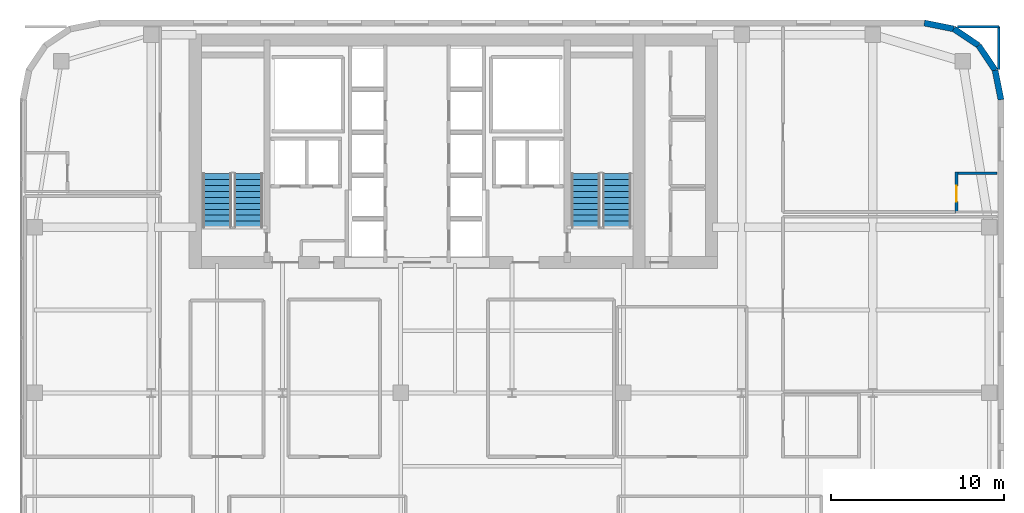
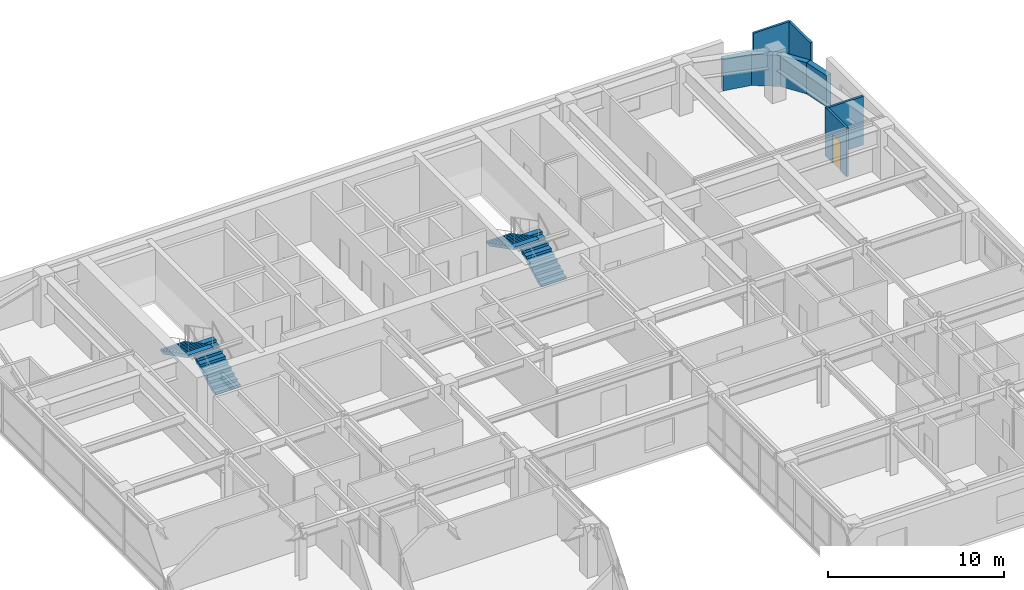
# One storey, part 29 of 30: 8 walls, 4 stair flights, 1 door, 1 opening, 2 elements without a shape of their own.
"""IFC4 building model written with IfcOpenShell, lengths in metres."""

import ifcopenshell
import ifcopenshell.guid

model = None  # the IFC model being written
_history = None  # IfcOwnerHistory: only IFC2X3 demands one
_inside = {}  # id of a spatial element -> (the spatial element, [elements in it])
_under = {}  # id of a project, library or spatial element -> (it, [spatial elements below it])
_declared = {}  # id of a project -> (the project, [libraries it declares])
_typed = {}  # id of a type object -> (the type object, [elements of that type])
_made_of = {}  # id of a material, layer set ... -> (it, [elements and type objects made of it])


def new_model(schema):
    """Start an empty IFC model of exactly this schema.

    Asked for "IFC4X3", IfcOpenShell would pick the latest addendum, in which some entities
    have other attributes; the version numbers below select the first issue.
    IFC2X3 requires an IfcOwnerHistory on every rooted entity: one is made here for all.
    """
    global model, _history
    if schema == "IFC4X3":
        model = ifcopenshell.file(schema_version=(4, 3, 0, 0))
    else:
        model = ifcopenshell.file(schema=schema)
    _inside.clear()
    _under.clear()
    _declared.clear()
    _typed.clear()
    _made_of.clear()
    _history = None
    if model.schema == "IFC2X3":
        org = make("IfcOrganization", Name="unknown")
        user = make(
            "IfcPersonAndOrganization",
            ThePerson=make("IfcPerson", FamilyName="unknown"),
            TheOrganization=org,
        )
        app = make(
            "IfcApplication",
            ApplicationDeveloper=org,
            Version="unknown",
            ApplicationFullName="unknown",
            ApplicationIdentifier="unknown",
        )
        _history = make(
            "IfcOwnerHistory",
            OwningUser=user,
            OwningApplication=app,
            ChangeAction="ADDED",
            CreationDate=0,
        )
    return model


def make(cls, **values):
    """One entity of the class cls with the attributes given. An attribute that is None is left unset."""
    return model.create_entity(
        cls, **{name: value for name, value in values.items() if value is not None}
    )


def rooted(cls, **values):
    """An entity with a GlobalId (a new one), such as an element, a storey or a relation."""
    return make(cls, GlobalId=ifcopenshell.guid.new(), OwnerHistory=_history, **values)


def si_unit(unit_type, name, prefix=None):
    """IfcSIUnit, for example si_unit("LENGTHUNIT", "METRE", prefix="MILLI")."""
    return make("IfcSIUnit", UnitType=unit_type, Prefix=prefix, Name=name)


def assignment(units):
    """IfcUnitAssignment: the units of a project."""
    return None if units is None else make("IfcUnitAssignment", Units=units)


def point(xyz):
    """IfcCartesianPoint."""
    return None if xyz is None else make("IfcCartesianPoint", Coordinates=xyz)


def direction(xyz):
    """IfcDirection."""
    return None if xyz is None else make("IfcDirection", DirectionRatios=xyz)


def frame(location, z_axis=None, x_axis=None):
    """IfcAxis2Placement3D, a coordinate frame: its origin and axes. An axis left out is left unset."""
    return make(
        "IfcAxis2Placement3D",
        Location=point(location),
        Axis=direction(z_axis),
        RefDirection=direction(x_axis),
    )


def frame_2d(location, x_axis=None):
    """IfcAxis2Placement2D, a coordinate frame in the plane: its origin and x axis."""
    return make(
        "IfcAxis2Placement2D", Location=point(location), RefDirection=direction(x_axis)
    )


def origin():
    """The frame at (0, 0, 0) with its axes left unset."""
    return frame((0.0, 0.0, 0.0))


def place(relative_to, where):
    """IfcLocalPlacement: puts the frame where relative to a parent placement (None: the world)."""
    return make(
        "IfcLocalPlacement", PlacementRelTo=relative_to, RelativePlacement=where
    )


def context(
    kind, dimensions, precision=None, world=None, true_north=None, identifier=None
):
    """IfcGeometricRepresentationContext, for example the 3D "Model" context."""
    return make(
        "IfcGeometricRepresentationContext",
        ContextIdentifier=identifier,
        ContextType=kind,
        CoordinateSpaceDimension=dimensions,
        Precision=precision,
        WorldCoordinateSystem=world,
        TrueNorth=true_north,
    )


def subcontext(parent, identifier, kind, view, scale=None):
    """IfcGeometricRepresentationSubContext, for example "Body" below "Model"."""
    return make(
        "IfcGeometricRepresentationSubContext",
        ContextIdentifier=identifier,
        ContextType=kind,
        ParentContext=parent,
        TargetScale=scale,
        TargetView=view,
    )


def project(units=None, contexts=None):
    """IfcProject with its units and contexts."""
    return rooted(
        "IfcProject",
        Name="project",
        RepresentationContexts=contexts,
        UnitsInContext=assignment(units),
    )


def spatial(cls, under=None, at=None, **own):
    """A site, building, storey or space (cls), placed at a placement, below another one or the project."""
    s = rooted(cls, ObjectPlacement=at, **own)
    if under is not None:
        _under.setdefault(under.id(), (under, []))[1].append(s)
    return s


def polyline(points):
    """IfcPolyline through the points."""
    return make("IfcPolyline", Points=[point(p) for p in points])


def profile(cls, at=None, kind="AREA", **sizes):
    """A parametric profile (cls). Its sizes go by their IFC names, for example OverallWidth=200.0."""
    return make(cls, ProfileType=kind, Position=at, **sizes)


def rectangle(**sizes):
    """IfcRectangleProfileDef."""
    return profile("IfcRectangleProfileDef", **sizes)


def outline(outer, holes=None, kind="AREA"):
    """IfcArbitraryClosedProfileDef: a profile drawn as a closed curve; with holes, ...WithVoids."""
    if holes is None:
        return make("IfcArbitraryClosedProfileDef", ProfileType=kind, OuterCurve=outer)
    return make(
        "IfcArbitraryProfileDefWithVoids",
        ProfileType=kind,
        OuterCurve=outer,
        InnerCurves=holes,
    )


def extrude(swept, where, along, depth):
    """IfcExtrudedAreaSolid: the profile swept, set in the frame where, extruded along a direction by depth."""
    return make(
        "IfcExtrudedAreaSolid",
        SweptArea=swept,
        Position=where,
        ExtrudedDirection=direction(along),
        Depth=depth,
    )


def shape(context_of_items, identifier, shape_type, items):
    """IfcShapeRepresentation: the items that make up one representation, for example the "Body"."""
    return make(
        "IfcShapeRepresentation",
        ContextOfItems=context_of_items,
        RepresentationIdentifier=identifier,
        RepresentationType=shape_type,
        Items=items,
    )


def source(mapping_origin, context_of_items, identifier, shape_type, items):
    """IfcRepresentationMap: a shape defined once, which mapped items show again and again."""
    return make(
        "IfcRepresentationMap",
        MappingOrigin=mapping_origin,
        MappedRepresentation=shape(context_of_items, identifier, shape_type, items),
    )


def transform(
    local_origin,
    x_axis=None,
    y_axis=None,
    z_axis=None,
    scale=None,
    scale2=None,
    scale3=None,
    uniform=True,
):
    """IfcCartesianTransformationOperator3D, or its non-uniform kind. x_axis, y_axis, z_axis: its Axis1, 2, 3."""
    if uniform:
        return make(
            "IfcCartesianTransformationOperator3D",
            Axis1=direction(x_axis),
            Axis2=direction(y_axis),
            LocalOrigin=point(local_origin),
            Scale=scale,
            Axis3=direction(z_axis),
        )
    return make(
        "IfcCartesianTransformationOperator3DnonUniform",
        Axis1=direction(x_axis),
        Axis2=direction(y_axis),
        LocalOrigin=point(local_origin),
        Scale=scale,
        Axis3=direction(z_axis),
        Scale2=scale2,
        Scale3=scale3,
    )


def mapped(mapping_source, mapping_target):
    """IfcMappedItem: shows the shape of a source again, moved by a transform."""
    return make(
        "IfcMappedItem", MappingSource=mapping_source, MappingTarget=mapping_target
    )


def material(Name=None, Category=None):
    """IfcMaterial."""
    return make("IfcMaterial", Name=Name, Category=Category)


def layer(
    of_material, thickness, ventilated=None, Name=None, Category=None, Priority=None
):
    """IfcMaterialLayer: one layer of a wall or slab, of a material (None: an air gap)."""
    return make(
        "IfcMaterialLayer",
        Material=of_material,
        LayerThickness=thickness,
        IsVentilated=ventilated,
        Name=Name,
        Category=Category,
        Priority=Priority,
    )


def layer_set(layers, Name=None):
    """IfcMaterialLayerSet."""
    return make("IfcMaterialLayerSet", MaterialLayers=layers, LayerSetName=Name)


def made_of(thing, what):
    """Note that an element or type object is made of a material, layer set ...; save() writes the relation."""
    if what is not None:
        _made_of.setdefault(what.id(), (what, []))[1].append(thing)
    return thing


def type_object(cls, material=None, **own):
    """A type object (cls), such as IfcWallType, which elements share."""
    return made_of(rooted(cls, **own), material)


def type_shapes(of_type, sources):
    """Give a type object the sources (RepresentationMaps) that its elements show as mapped items."""
    of_type.RepresentationMaps = sources


def element(
    cls,
    number,
    at=None,
    inside=None,
    cuts=None,
    type_object=None,
    material=None,
    context=None,
    identifier="Body",
    shape_type=None,
    held_by="IfcProductDefinitionShape",
    body=None,
    shapes=None,
    **own,
):
    """One element of the class cls, such as IfcWall. Its Tag is "e" and its number.

    at: its placement. inside: the storey or other place that contains it. cuts: it is an
    opening in that element (IfcRelVoidsElement). A single representation is given by context,
    identifier, shape_type and body (its items); several are given by shapes. held_by: the class
    of the entity that holds the representations. save() writes the other relations.
    """
    e = rooted(cls, Tag="e%d" % number, ObjectPlacement=at, **own)
    if body is not None:
        shapes = [shape(context, identifier, shape_type, body)]
    if shapes is not None:
        e.Representation = make(held_by, Representations=shapes)
    if inside is not None:
        _inside.setdefault(inside.id(), (inside, []))[1].append(e)
    if cuts is not None:
        rooted(
            "IfcRelVoidsElement", RelatingBuildingElement=cuts, RelatedOpeningElement=e
        )
    if type_object is not None:
        _typed.setdefault(type_object.id(), (type_object, []))[1].append(e)
    return made_of(e, material)


def fill(opening, filler):
    """IfcRelFillsElement: the door or window that sits in an opening."""
    return rooted(
        "IfcRelFillsElement",
        RelatingOpeningElement=opening,
        RelatedBuildingElement=filler,
    )


def aggregate(whole, parts):
    """IfcRelAggregates: a whole, such as a stair, and the parts it consists of."""
    return rooted("IfcRelAggregates", RelatingObject=whole, RelatedObjects=parts)


def save(model, path):
    """Write the relations noted so far, then the file.

    IfcRelAggregates (storeys below a building ...), IfcRelContainedInSpatialStructure (elements
    in a storey), IfcRelDefinesByType, IfcRelAssociatesMaterial and IfcRelDeclares: one each for
    every whole, place, type object, material and project.
    """
    for whole, parts in _under.values():
        aggregate(whole, parts)
    for where, things in _inside.values():
        rooted(
            "IfcRelContainedInSpatialStructure",
            RelatedElements=things,
            RelatingStructure=where,
        )
    for kind, things in _typed.values():
        rooted("IfcRelDefinesByType", RelatedObjects=things, RelatingType=kind)
    for what, things in _made_of.values():
        rooted("IfcRelAssociatesMaterial", RelatedObjects=things, RelatingMaterial=what)
    for by, libraries in _declared.values():
        rooted("IfcRelDeclares", RelatingContext=by, RelatedDefinitions=libraries)
    model.write(path)


model = new_model("IFC4")

# Units and contexts
model_context = context("Model", 3, precision=1e-05, world=origin(), true_north=direction((0.0, 1.0)))
body_context = subcontext(model_context, "Body", "Model", "MODEL_VIEW")
ifc_project = project(units=[si_unit("LENGTHUNIT", "METRE"), si_unit("AREAUNIT", "SQUARE_METRE"), si_unit("VOLUMEUNIT", "CUBIC_METRE"), si_unit("PLANEANGLEUNIT", "RADIAN"), si_unit("MASSUNIT", "GRAM", prefix="KILO")], contexts=[model_context])

# Site, building, storey
site_placement = place(None, origin())
site = spatial("IfcSite", under=ifc_project, at=site_placement, CompositionType="ELEMENT")
building_placement = place(site_placement, origin())
building = spatial("IfcBuilding", under=site, at=building_placement, Name="Tolvann Quenvar Hotel", CompositionType="ELEMENT")
storey_placement = place(building_placement, frame((0.0, 0.0, 100.89990234375)))
storey = spatial("IfcBuildingStorey", under=building, at=storey_placement, Name="L25", CompositionType="ELEMENT", Elevation=100.89990234375)

# Walls
ifc_material_1 = material(Name="Kiln-fired red and buff architectural clay brickwork and terracotta masonry", Category="masonry")
ifc_layer_1 = layer(ifc_material_1, 0.35009765625)
ifc_layer_set_1 = layer_set([ifc_layer_1], Name="Kiln-fired red and buff architectural clay brickwork and terracotta masonry")
wall_type_1 = type_object("IfcWallType", Name="WALL_EXT_BRICK_350", PredefinedType="SOLIDWALL", material=ifc_layer_set_1)
wall_1_placement = place(storey_placement, frame((56.824951171875, 41.3828125, 0.0), z_axis=(0.0, 0.0, 1.0), x_axis=(-0.195011420161, 0.980800971659, 0.0)))
element("IfcWall", 1, at=wall_1_placement, inside=storey, type_object=wall_type_1, Name="Exterior Chicago Brick Wall L25-E14", PredefinedType="SOLIDWALL", context=body_context, shape_type="SweptSolid", body=[
    extrude(rectangle(XDim=1.74267578125, YDim=0.35009765625, at=frame_2d((0.871337890625, 0.0))), origin(), (0.0, 0.0, 1.0), 2.16015625),
])
for number, where, z_axis, x_axis, name in (
    (2, (56.485107421875, 43.092041015625, 0.0), (0.0, 0.0, 1.0), (-0.55554893791, 0.831483840845, 0.0), "Exterior Chicago Brick Wall L25-E15"),
    (3, (55.526611328125, 44.526611328125, 0.0), (0.0, 0.0, 1.0), (-0.831483840845, 0.55554893791, 0.0), "Exterior Chicago Brick Wall L25-E16"),
):
    element("IfcWall", number, at=place(storey_placement, frame(where, z_axis=z_axis, x_axis=x_axis)), inside=storey, type_object=wall_type_1, Name=name, PredefinedType="SOLIDWALL", context=body_context, shape_type="SweptSolid", body=[
        extrude(rectangle(XDim=1.725341796875, YDim=0.35009765625, at=frame_2d((0.86279296875, 0.0))), origin(), (0.0, 0.0, 1.0), 2.16015625),
    ])
wall_2_placement = place(storey_placement, frame((54.092041015625, 45.485107421875, 0.0), z_axis=(0.0, 0.0, 1.0), x_axis=(-0.980800971659, 0.195011420161, 0.0)))
element("IfcWall", 4, at=wall_2_placement, inside=storey, type_object=wall_type_1, Name="Exterior Chicago Brick Wall L25-E17", PredefinedType="SOLIDWALL", context=body_context, shape_type="SweptSolid", body=[
    extrude(rectangle(XDim=1.74267578125, YDim=0.35009765625, at=frame_2d((0.871337890625, 0.0))), origin(), (0.0, 0.0, 1.0), 2.16015625),
])

# Wall, opening, door
ifc_material_2 = material(Name="Acoustic twin-stud fire-rated gypsum plasterboard partition")
ifc_layer_2 = layer(ifc_material_2, 0.14990234375)
ifc_layer_set_2 = layer_set([ifc_layer_2], Name="Acoustic twin-stud fire-rated gypsum plasterboard partition")
wall_type_2 = type_object("IfcWallType", Name="WALL_PART_SUITE_150", PredefinedType="PARTITIONING", material=ifc_layer_set_2)
wall_3_placement = place(storey_placement, frame((54.25, 34.81005859375, 0.0), z_axis=(0.0, 0.0, 1.0), x_axis=(0.0, 1.0, 0.0)))
wall_3 = element("IfcWall", 5, at=wall_3_placement, inside=storey, type_object=wall_type_2, Name="Interior Partition PT-SPC-L25-ENS-NE01-ENT", PredefinedType="PARTITIONING", context=body_context, shape_type="SweptSolid", body=[
    extrude(rectangle(XDim=2.389892578125, YDim=0.14990234375, at=frame_2d((1.19482421875, 0.0))), origin(), (0.0, 0.0, 1.0), 3.3701171875),
])
opening_placement = place(wall_3_placement, frame((0.6650390625, 0.0, 0.0)))
opening = element("IfcOpeningElement", 6, at=opening_placement, cuts=wall_3, Name="Opening WD-01", PredefinedType="OPENING", context=body_context, shape_type="SweptSolid", body=[
    extrude(rectangle(XDim=0.919921875, YDim=2.010009765625, at=frame_2d((0.4599609375, 1.0048828125))), frame((0.0, 0.0849609375, 0.0), z_axis=(0.0, -1.0, 0.0), x_axis=(1.0, 0.0, 0.0)), (0.0, 0.0, 1.0), 0.169921875),
])
ifc_material_3 = material(Name="Solid-core American oak acoustic fire door leaf in steel frame", Category="steel")
door_type = type_object("IfcDoorType", Name="DOOR_WC_920", OperationType="NOTDEFINED", PredefinedType="DOOR", material=ifc_material_3)
shared_shape = source(origin(), body_context, "Body", "SweptSolid", [
    extrude(rectangle(XDim=0.919921875, YDim=2.010009765625, at=frame_2d((0.4599609375, 1.0048828125))), frame((0.0, 0.02490234375, 0.0), z_axis=(0.0, -1.0, 0.0), x_axis=(1.0, 0.0, 0.0)), (0.0, 0.0, 1.0), 0.050048828125),
])
type_shapes(door_type, [shared_shape])
door_placement = place(opening_placement, origin())
door = element("IfcDoor", 7, at=door_placement, inside=storey, type_object=door_type, Name="Interior Door DOOR-SPC-L25-ENS-NE01", OperationType="SINGLE_SWING_RIGHT", OverallHeight=2.010009765625, OverallWidth=0.919921875, PredefinedType="DOOR", context=body_context, shape_type="MappedRepresentation", body=[
    mapped(shared_shape, transform((0.0, 0.0, 0.0), x_axis=(1.0, 0.0, 0.0), y_axis=(0.0, 1.0, 0.0), z_axis=(0.0, 0.0, 1.0), scale=1.0)),
])
fill(opening, door)

# Walls
wall_4_placement = place(storey_placement, frame((54.179931640625, 37.1298828125, 0.0), z_axis=(0.0, 0.0, 1.0), x_axis=(1.0, 0.0, 0.0)))
element("IfcWall", 8, at=wall_4_placement, inside=storey, type_object=wall_type_2, Name="Interior Partition PT-SPC-L25-ENS-NE01-N", PredefinedType="PARTITIONING", context=body_context, shape_type="SweptSolid", body=[
    extrude(rectangle(XDim=2.4150390625, YDim=0.14990234375, at=frame_2d((1.20751953125, 0.0))), origin(), (0.0, 0.0, 1.0), 3.3701171875),
])
wall_5_placement = place(storey_placement, frame((56.699951171875, 43.135009765625, 0.0), z_axis=(0.0, 0.0, 1.0), x_axis=(0.0, 1.0, 0.0)))
element("IfcWall", 9, at=wall_5_placement, inside=storey, type_object=wall_type_2, Name="Interior Partition PT-SPC-L25-RM-NE01-E4", PredefinedType="PARTITIONING", context=body_context, shape_type="SweptSolid", body=[
    extrude(rectangle(XDim=2.485107421875, YDim=0.14990234375, at=frame_2d((1.24267578125, 0.0))), origin(), (0.0, 0.0, 1.0), 3.3701171875),
])
wall_6_placement = place(storey_placement, frame((54.303955078125, 45.6201171875, 0.0), z_axis=(0.0, 0.0, 1.0), x_axis=(1.0, 0.0, 0.0)))
element("IfcWall", 10, at=wall_6_placement, inside=storey, type_object=wall_type_2, Name="Interior Partition PT-SPC-L25-RM-NE01-E5", PredefinedType="PARTITIONING", context=body_context, shape_type="SweptSolid", body=[
    extrude(rectangle(XDim=2.39599609375, YDim=0.14990234375, at=frame_2d((1.197998046875, 0.0))), origin(), (0.0, 0.0, 1.0), 3.3701171875),
])

# Stair, stair flights
ifc_material_4 = material(Name="Concrete N40 (40 MPa)", Category="concrete")
stair_type = type_object("IfcStairType", Name="STAIR", PredefinedType="HALF_TURN_STAIR", material=ifc_material_4)
stair_1_placement = place(storey_placement, origin())
stair_1 = element("IfcStair", 11, at=stair_1_placement, inside=storey, type_object=stair_type, Name="L25 ST-C1", PredefinedType="HALF_TURN_STAIR")
stair_flight_type = type_object("IfcStairFlightType", Name="STAIR_FLIGHT", PredefinedType="STRAIGHT", material=ifc_material_4)
stair_flight_1_placement = place(storey_placement, frame((13.22509765625, 34.0, 0.0), z_axis=(0.0, 0.0, 1.0), x_axis=(0.0, 1.0, 0.0)))
stair_flight_1 = element("IfcStairFlight", 12, at=stair_flight_1_placement, type_object=stair_flight_type, Name="ST-C1 flight 1", NumberOfRisers=10, NumberOfTreads=9, PredefinedType="STRAIGHT", RiserHeight=0.1775, TreadLength=0.345, context=body_context, shape_type="SweptSolid", body=[
    extrude(outline(polyline([(0.0, 0.0), (0.0, 0.177490234375), (0.344970703125, 0.177490234375), (0.344970703125, 0.35498046875), (0.68994140625, 0.35498046875), (0.68994140625, 0.532470703125), (1.034912109375, 0.532470703125), (1.034912109375, 0.7099609375), (1.3798828125, 0.7099609375), (1.3798828125, 0.887451171875), (1.72509765625, 0.887451171875), (1.72509765625, 1.06494140625), (2.070068359375, 1.06494140625), (2.070068359375, 1.242431640625), (2.4150390625, 1.242431640625), (2.4150390625, 1.419921875), (2.760009765625, 1.419921875), (2.760009765625, 1.597412109375), (3.10498046875, 1.597412109375), (3.10498046875, 1.77490234375), (3.10498046875, 1.428955078125), (0.32763671875, 0.0), (0.0, 0.0)])), frame((0.0, 0.824951171875, 0.0), z_axis=(0.0, -1.0, 0.0), x_axis=(1.0, 0.0, 0.0)), (0.0, 0.0, 1.0), 1.64990234375),
])
stair_flight_2_placement = place(storey_placement, frame((11.425048828125, 37.10498046875, 1.775146484375), z_axis=(0.0, 0.0, 1.0), x_axis=(0.0, -1.0, 0.0)))
stair_flight_2 = element("IfcStairFlight", 13, at=stair_flight_2_placement, type_object=stair_flight_type, Name="ST-C1 flight 2", NumberOfRisers=10, NumberOfTreads=9, PredefinedType="STRAIGHT", RiserHeight=0.1775, TreadLength=0.345, context=body_context, shape_type="SweptSolid", body=[
    extrude(outline(polyline([(0.0, 0.0), (0.0, 0.177490234375), (0.344970703125, 0.177490234375), (0.344970703125, 0.35498046875), (0.68994140625, 0.35498046875), (0.68994140625, 0.532470703125), (1.034912109375, 0.532470703125), (1.034912109375, 0.7099609375), (1.3798828125, 0.7099609375), (1.3798828125, 0.887451171875), (1.72509765625, 0.887451171875), (1.72509765625, 1.06494140625), (2.070068359375, 1.06494140625), (2.070068359375, 1.242431640625), (2.4150390625, 1.242431640625), (2.4150390625, 1.419921875), (2.760009765625, 1.419921875), (2.760009765625, 1.597412109375), (3.10498046875, 1.597412109375), (3.10498046875, 1.77490234375), (3.10498046875, 1.428955078125), (0.32763671875, 0.0), (0.0, 0.0)])), frame((0.0, 0.824951171875, 0.0), z_axis=(0.0, -1.0, 0.0), x_axis=(1.0, 0.0, 0.0)), (0.0, 0.0, 1.0), 1.64990234375),
])
aggregate(stair_1, [stair_flight_1, stair_flight_2])

stair_2_placement = place(storey_placement, origin())
stair_2 = element("IfcStair", 14, at=stair_2_placement, inside=storey, type_object=stair_type, Name="L25 ST-C2", PredefinedType="HALF_TURN_STAIR")
stair_flight_3_placement = place(storey_placement, frame((34.574951171875, 34.0, 0.0), z_axis=(0.0, 0.0, 1.0), x_axis=(0.0, 1.0, 0.0)))
stair_flight_3 = element("IfcStairFlight", 15, at=stair_flight_3_placement, type_object=stair_flight_type, Name="ST-C2 flight 1", NumberOfRisers=10, NumberOfTreads=9, PredefinedType="STRAIGHT", RiserHeight=0.1775, TreadLength=0.345, context=body_context, shape_type="SweptSolid", body=[
    extrude(outline(polyline([(0.0, 0.0), (0.0, 0.177490234375), (0.344970703125, 0.177490234375), (0.344970703125, 0.35498046875), (0.68994140625, 0.35498046875), (0.68994140625, 0.532470703125), (1.034912109375, 0.532470703125), (1.034912109375, 0.7099609375), (1.3798828125, 0.7099609375), (1.3798828125, 0.887451171875), (1.72509765625, 0.887451171875), (1.72509765625, 1.06494140625), (2.070068359375, 1.06494140625), (2.070068359375, 1.242431640625), (2.4150390625, 1.242431640625), (2.4150390625, 1.419921875), (2.760009765625, 1.419921875), (2.760009765625, 1.597412109375), (3.10498046875, 1.597412109375), (3.10498046875, 1.77490234375), (3.10498046875, 1.428955078125), (0.32763671875, 0.0), (0.0, 0.0)])), frame((0.0, 0.824951171875, 0.0), z_axis=(0.0, -1.0, 0.0), x_axis=(1.0, 0.0, 0.0)), (0.0, 0.0, 1.0), 1.64990234375),
])
stair_flight_4_placement = place(storey_placement, frame((32.77490234375, 37.10498046875, 1.775146484375), z_axis=(0.0, 0.0, 1.0), x_axis=(0.0, -1.0, 0.0)))
stair_flight_4 = element("IfcStairFlight", 16, at=stair_flight_4_placement, type_object=stair_flight_type, Name="ST-C2 flight 2", NumberOfRisers=10, NumberOfTreads=9, PredefinedType="STRAIGHT", RiserHeight=0.1775, TreadLength=0.345, context=body_context, shape_type="SweptSolid", body=[
    extrude(outline(polyline([(0.0, 0.0), (0.0, 0.177490234375), (0.344970703125, 0.177490234375), (0.344970703125, 0.35498046875), (0.68994140625, 0.35498046875), (0.68994140625, 0.532470703125), (1.034912109375, 0.532470703125), (1.034912109375, 0.7099609375), (1.3798828125, 0.7099609375), (1.3798828125, 0.887451171875), (1.72509765625, 0.887451171875), (1.72509765625, 1.06494140625), (2.070068359375, 1.06494140625), (2.070068359375, 1.242431640625), (2.4150390625, 1.242431640625), (2.4150390625, 1.419921875), (2.760009765625, 1.419921875), (2.760009765625, 1.597412109375), (3.10498046875, 1.597412109375), (3.10498046875, 1.77490234375), (3.10498046875, 1.428955078125), (0.32763671875, 0.0), (0.0, 0.0)])), frame((0.0, 0.824951171875, 0.0), z_axis=(0.0, -1.0, 0.0), x_axis=(1.0, 0.0, 0.0)), (0.0, 0.0, 1.0), 1.64990234375),
])
aggregate(stair_2, [stair_flight_3, stair_flight_4])

save(model, "model.ifc")
